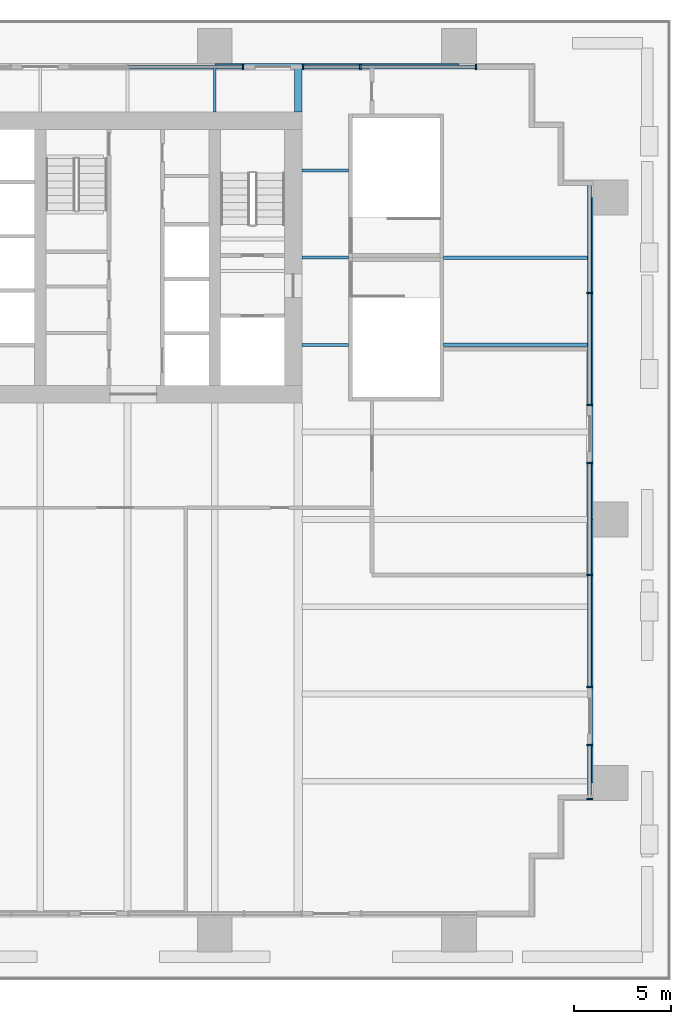
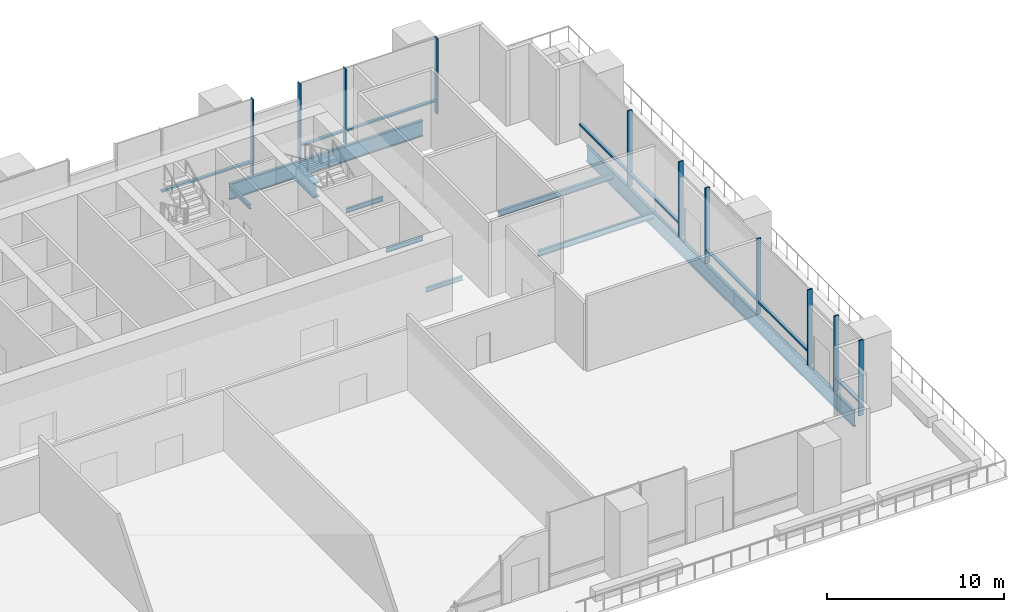
# One storey, part 5 of 16: 19 members, 10 beams, 5 elements without a shape of their own.
"""IFC4 building model written with IfcOpenShell, lengths in metres."""

from ifc_helpers import new_model, si_unit, direction, frame, origin, origin_2d, place, context, subcontext, project, spatial, rectangle, i_section, extrude, material, layer, layer_set, material_profile, profile_set, type_object, element, aggregate, save


model = new_model("IFC4")

# Units and contexts
model_context = context("Model", 3, precision=1e-05, world=origin(), true_north=direction((0.0, 1.0)))
body_context = subcontext(model_context, "Body", "Model", "MODEL_VIEW")
ifc_project = project(units=[si_unit("LENGTHUNIT", "METRE"), si_unit("AREAUNIT", "SQUARE_METRE"), si_unit("VOLUMEUNIT", "CUBIC_METRE"), si_unit("PLANEANGLEUNIT", "RADIAN"), si_unit("MASSUNIT", "GRAM", prefix="KILO")], contexts=[model_context])

# Site, building, storey
site_placement = place(None, origin())
site = spatial("IfcSite", under=ifc_project, at=site_placement, CompositionType="ELEMENT")
building_placement = place(site_placement, origin())
building = spatial("IfcBuilding", under=site, at=building_placement, Name="Rattan Terrace Tower", CompositionType="ELEMENT")
storey_placement = place(building_placement, frame((0.0, 0.0, 27.0)))
storey = spatial("IfcBuildingStorey", under=building, at=storey_placement, Name="L05", CompositionType="ELEMENT", Elevation=27.0)

# Beams
ifc_material_1 = material(Name="Steel S460", Category="steel")
ifc_material_profile_1 = material_profile(ifc_material_1, i_section(OverallWidth=0.39990234375, OverallDepth=1.0, WebThickness=0.01806640625, FlangeThickness=0.044921875, at=origin_2d()), Name="PG 1000x400-18-45")
ifc_profile_set_1 = profile_set([ifc_material_profile_1], Name="Steel S460")
beam_type_1 = type_object("IfcBeamType", Name="Frame core girder PG 1000x400-18-45", PredefinedType="BEAM", material=ifc_profile_set_1)
beam_1_placement = place(storey_placement, frame((17.800048828125, 7.5, -0.699951171875), z_axis=(0.0, 1.0, 0.0), x_axis=(-1.0, 0.0, 0.0)))
element("IfcBeam", 1, at=beam_1_placement, inside=storey, type_object=beam_type_1, Name="gdr-L05-016", PredefinedType="BEAM", context=body_context, shape_type="SweptSolid", body=[
    extrude(i_section(OverallWidth=0.39990234375, OverallDepth=1.0, WebThickness=0.01806640625, FlangeThickness=0.044921875, at=origin_2d()), origin(), (0.0, 0.0, 1.0), 2.320068359375),
])
ifc_material_2 = material(Name="Steel S460", Category="steel")
ifc_material_profile_2 = material_profile(ifc_material_2, i_section(OverallWidth=0.179931640625, OverallDepth=1.10009765625, WebThickness=0.01611328125, FlangeThickness=0.050048828125, at=origin_2d()), Name="PG 1100x180-16-50")
ifc_profile_set_2 = profile_set([ifc_material_profile_2], Name="Steel S460")
beam_type_2 = type_object("IfcBeamType", Name="Frame edge girder PG 1100x180-16-50", PredefinedType="SPANDREL", material=ifc_profile_set_2)
beam_2_placement = place(storey_placement, frame((32.909912109375, -27.10009765625, -0.75), z_axis=(0.0, 1.0, 0.0), x_axis=(-1.0, 0.0, 0.0)))
element("IfcBeam", 2, at=beam_2_placement, inside=storey, type_object=beam_type_2, Name="gdr-L05-005", PredefinedType="SPANDREL", context=body_context, shape_type="SweptSolid", body=[
    extrude(i_section(OverallWidth=0.179931640625, OverallDepth=1.10009765625, WebThickness=0.01611328125, FlangeThickness=0.050048828125, at=origin_2d()), origin(), (0.0, 0.0, 1.0), 13.60009765625),
])
beam_3_placement = place(storey_placement, frame((32.909912109375, -13.5, -0.75), z_axis=(0.0, 1.0, 0.0), x_axis=(-1.0, 0.0, 0.0)))
element("IfcBeam", 3, at=beam_3_placement, inside=storey, type_object=beam_type_2, Name="gdr-L05-007", PredefinedType="SPANDREL", context=body_context, shape_type="SweptSolid", body=[
    extrude(i_section(OverallWidth=0.179931640625, OverallDepth=1.10009765625, WebThickness=0.01611328125, FlangeThickness=0.050048828125, at=origin_2d()), origin(), (0.0, 0.0, 1.0), 16.60009765625),
])
beam_4_placement = place(storey_placement, frame((26.10009765625, 9.909912109375, -0.75), z_axis=(-1.0, 0.0, 0.0), x_axis=(0.0, -1.0, 0.0)))
element("IfcBeam", 4, at=beam_4_placement, inside=storey, type_object=beam_type_2, Name="gdr-L05-012", PredefinedType="SPANDREL", context=body_context, shape_type="SweptSolid", body=[
    extrude(i_section(OverallWidth=0.179931640625, OverallDepth=1.10009765625, WebThickness=0.01611328125, FlangeThickness=0.050048828125, at=origin_2d()), origin(), (0.0, 0.0, 1.0), 12.60009765625),
])
ifc_material_3 = material(Name="Steel S355", Category="steel")
ifc_material_profile_3 = material_profile(ifc_material_3, i_section(OverallWidth=0.14990234375, OverallDepth=0.300048828125, WebThickness=0.007080078125, FlangeThickness=0.0107421875, FilletRadius=0.014892578125, at=origin_2d()), Name="IPE 300")
ifc_profile_set_3 = profile_set([ifc_material_profile_3], Name="Steel S355")
beam_type_3 = type_object("IfcBeamType", Name="Frame floor beam IPE 300", PredefinedType="JOIST", material=ifc_profile_set_3)
for number, where, z_axis, x_axis, name in (
    (5, (18.0, -4.5, -0.35009765625), (1.0, 0.0, 0.0), (0.0, 1.0, 0.0), "bm-L05-022"),
    (6, (18.0, 0.0, -0.35009765625), (1.0, 0.0, 0.0), (0.0, 1.0, 0.0), "bm-L05-026"),
    (7, (18.0, 4.5, -0.35009765625), (1.0, 0.0, 0.0), (0.0, 1.0, 0.0), "bm-L05-029"),
):
    element("IfcBeam", number, at=place(storey_placement, frame(where, z_axis=z_axis, x_axis=x_axis)), inside=storey, type_object=beam_type_3, Name=name, PredefinedType="JOIST", context=body_context, shape_type="SweptSolid", body=[
        extrude(i_section(OverallWidth=0.14990234375, OverallDepth=0.300048828125, WebThickness=0.007080078125, FlangeThickness=0.0107421875, FilletRadius=0.014892578125, at=origin_2d()), origin(), (0.0, 0.0, 1.0), 2.39990234375),
    ])
beam_5_placement = place(storey_placement, frame((13.5, 7.5, -0.35009765625), z_axis=(0.0, 1.0, 0.0), x_axis=(-1.0, 0.0, 0.0)))
element("IfcBeam", 8, at=beam_5_placement, inside=storey, type_object=beam_type_3, Name="bm-L05-036", PredefinedType="JOIST", context=body_context, shape_type="SweptSolid", body=[
    extrude(i_section(OverallWidth=0.14990234375, OverallDepth=0.300048828125, WebThickness=0.007080078125, FlangeThickness=0.0107421875, FilletRadius=0.014892578125, at=origin_2d()), origin(), (0.0, 0.0, 1.0), 2.320068359375),
])
ifc_material_4 = material(Name="Steel S355", Category="steel")
ifc_material_profile_4 = material_profile(ifc_material_4, i_section(OverallWidth=0.179931640625, OverallDepth=0.39990234375, WebThickness=0.008544921875, FlangeThickness=0.013427734375, FilletRadius=0.02099609375, at=origin_2d()), Name="IPE 400")
ifc_profile_set_4 = profile_set([ifc_material_profile_4], Name="Steel S355")
beam_type_4 = type_object("IfcBeamType", Name="Frame floor beam IPE 400", PredefinedType="JOIST", material=ifc_profile_set_4)
for number, where, z_axis, x_axis, name in (
    (9, (25.300048828125, -4.5, -0.39990234375), (1.0, 0.0, 0.0), (0.0, 1.0, 0.0), "bm-L05-023"),
    (10, (25.300048828125, 0.0, -0.39990234375), (1.0, 0.0, 0.0), (0.0, 1.0, 0.0), "bm-L05-027"),
):
    element("IfcBeam", number, at=place(storey_placement, frame(where, z_axis=z_axis, x_axis=x_axis)), inside=storey, type_object=beam_type_4, Name=name, PredefinedType="JOIST", context=body_context, shape_type="SweptSolid", body=[
        extrude(i_section(OverallWidth=0.179931640625, OverallDepth=0.39990234375, WebThickness=0.008544921875, FlangeThickness=0.013427734375, FilletRadius=0.02099609375, at=origin_2d()), origin(), (0.0, 0.0, 1.0), 7.52001953125),
    ])

# Curtain wall, members
ifc_material_5 = material(Name="Steel fins, aluminium and glass", Category="steel")
ifc_layer = layer(ifc_material_5, 0.300048828125)
ifc_layer_set = layer_set([ifc_layer], Name="Sky Lobby Stick Curtain Wall")
curtain_wall_type = type_object("IfcCurtainWallType", Name="Sky Lobby Stick Curtain Wall", PredefinedType="NOTDEFINED", material=ifc_layer_set)
curtain_wall_1_placement = place(storey_placement, origin())
curtain_wall_1 = element("IfcCurtainWall", 11, at=curtain_wall_1_placement, inside=storey, type_object=curtain_wall_type, Name="Sky lobby curtain wall L05-1", PredefinedType="NOTDEFINED")
ifc_material_6 = material(Name="Steel S355", Category="steel")
ifc_material_profile_5 = material_profile(ifc_material_6, rectangle(XDim=0.080078125, YDim=0.300048828125, at=origin_2d()), Name="Steel S355 80x300")
ifc_profile_set_5 = profile_set([ifc_material_profile_5], Name="Steel S355")
member_type_1 = type_object("IfcMemberType", Name="Sky Lobby CW Fin 80x300", PredefinedType="MULLION", material=ifc_profile_set_5)
member_1_placement = place(storey_placement, frame((32.830078125, -27.9150390625, 0.0), z_axis=(0.0, 0.0, 1.0), x_axis=(0.0, 1.0, 0.0)))
member_1 = element("IfcMember", 12, at=member_1_placement, type_object=member_type_1, Name="Mullion cwl-L05-001.1", PredefinedType="MULLION", context=body_context, shape_type="SweptSolid", body=[
    extrude(rectangle(XDim=0.080078125, YDim=0.300048828125, at=origin_2d()), origin(), (0.0, 0.0, 1.0), 5.199951171875),
])
member_2_placement = place(storey_placement, frame((32.830078125, -25.131103515625, 0.0), z_axis=(0.0, 0.0, 1.0), x_axis=(0.0, 1.0, 0.0)))
member_2 = element("IfcMember", 13, at=member_2_placement, type_object=member_type_1, Name="Mullion cwl-L05-001.2", PredefinedType="MULLION", context=body_context, shape_type="SweptSolid", body=[
    extrude(rectangle(XDim=0.080078125, YDim=0.300048828125, at=origin_2d()), origin(), (0.0, 0.0, 1.0), 5.199951171875),
])

curtain_wall_2_placement = place(storey_placement, origin())
curtain_wall_2 = element("IfcCurtainWall", 14, at=curtain_wall_2_placement, inside=storey, type_object=curtain_wall_type, Name="Sky lobby curtain wall L05-2", PredefinedType="NOTDEFINED")
member_3_placement = place(storey_placement, frame((32.830078125, -22.14208984375, 0.0), z_axis=(0.0, 0.0, 1.0), x_axis=(0.0, 1.0, 0.0)))
member_3 = element("IfcMember", 15, at=member_3_placement, type_object=member_type_1, Name="Mullion cwl-L05-002.1", PredefinedType="MULLION", context=body_context, shape_type="SweptSolid", body=[
    extrude(rectangle(XDim=0.080078125, YDim=0.300048828125, at=origin_2d()), origin(), (0.0, 0.0, 1.0), 5.199951171875),
])
member_4_placement = place(storey_placement, frame((32.830078125, -16.364013671875, 0.0), z_axis=(0.0, 0.0, 1.0), x_axis=(0.0, 1.0, 0.0)))
member_4 = element("IfcMember", 16, at=member_4_placement, type_object=member_type_1, Name="Mullion cwl-L05-002.2", PredefinedType="MULLION", context=body_context, shape_type="SweptSolid", body=[
    extrude(rectangle(XDim=0.080078125, YDim=0.300048828125, at=origin_2d()), origin(), (0.0, 0.0, 1.0), 5.199951171875),
])
member_5_placement = place(storey_placement, frame((32.830078125, -10.5859375, 0.0), z_axis=(0.0, 0.0, 1.0), x_axis=(0.0, 1.0, 0.0)))
member_5 = element("IfcMember", 17, at=member_5_placement, type_object=member_type_1, Name="Mullion cwl-L05-002.3", PredefinedType="MULLION", context=body_context, shape_type="SweptSolid", body=[
    extrude(rectangle(XDim=0.080078125, YDim=0.300048828125, at=origin_2d()), origin(), (0.0, 0.0, 1.0), 5.199951171875),
])

curtain_wall_3_placement = place(storey_placement, origin())
curtain_wall_3 = element("IfcCurtainWall", 18, at=curtain_wall_3_placement, inside=storey, type_object=curtain_wall_type, Name="Sky lobby curtain wall L05-3", PredefinedType="NOTDEFINED")
member_6_placement = place(storey_placement, frame((32.830078125, -7.596923828125, 0.0), z_axis=(0.0, 0.0, 1.0), x_axis=(0.0, 1.0, 0.0)))
member_6 = element("IfcMember", 19, at=member_6_placement, type_object=member_type_1, Name="Mullion cwl-L05-003.1", PredefinedType="MULLION", context=body_context, shape_type="SweptSolid", body=[
    extrude(rectangle(XDim=0.080078125, YDim=0.300048828125, at=origin_2d()), origin(), (0.0, 0.0, 1.0), 5.199951171875),
])
member_7_placement = place(storey_placement, frame((32.830078125, -1.819091796875, 0.0), z_axis=(0.0, 0.0, 1.0), x_axis=(0.0, 1.0, 0.0)))
member_7 = element("IfcMember", 20, at=member_7_placement, type_object=member_type_1, Name="Mullion cwl-L05-003.2", PredefinedType="MULLION", context=body_context, shape_type="SweptSolid", body=[
    extrude(rectangle(XDim=0.080078125, YDim=0.300048828125, at=origin_2d()), origin(), (0.0, 0.0, 1.0), 5.199951171875),
])

curtain_wall_4_placement = place(storey_placement, origin())
curtain_wall_4 = element("IfcCurtainWall", 21, at=curtain_wall_4_placement, inside=storey, type_object=curtain_wall_type, Name="Sky lobby curtain wall L05-4", PredefinedType="NOTDEFINED")
member_8_placement = place(storey_placement, frame((26.9599609375, 9.830078125, 0.0), z_axis=(0.0, 0.0, 1.0), x_axis=(-1.0, 0.0, 0.0)))
member_8 = element("IfcMember", 22, at=member_8_placement, type_object=member_type_1, Name="Mullion cwl-L05-004.1", PredefinedType="MULLION", context=body_context, shape_type="SweptSolid", body=[
    extrude(rectangle(XDim=0.080078125, YDim=0.300048828125, at=origin_2d()), origin(), (0.0, 0.0, 1.0), 5.199951171875),
])
member_9_placement = place(storey_placement, frame((21.0, 9.830078125, 0.0), z_axis=(0.0, 0.0, 1.0), x_axis=(-1.0, 0.0, 0.0)))
member_9 = element("IfcMember", 23, at=member_9_placement, type_object=member_type_1, Name="Mullion cwl-L05-004.2", PredefinedType="MULLION", context=body_context, shape_type="SweptSolid", body=[
    extrude(rectangle(XDim=0.080078125, YDim=0.300048828125, at=origin_2d()), origin(), (0.0, 0.0, 1.0), 5.199951171875),
])
member_10_placement = place(storey_placement, frame((18.0400390625, 9.830078125, 0.0), z_axis=(0.0, 0.0, 1.0), x_axis=(-1.0, 0.0, 0.0)))
member_10 = element("IfcMember", 24, at=member_10_placement, type_object=member_type_1, Name="Mullion cwl-L05-004.3", PredefinedType="MULLION", context=body_context, shape_type="SweptSolid", body=[
    extrude(rectangle(XDim=0.080078125, YDim=0.300048828125, at=origin_2d()), origin(), (0.0, 0.0, 1.0), 5.199951171875),
])

# Curtain wall, member
curtain_wall_5_placement = place(storey_placement, origin())
curtain_wall_5 = element("IfcCurtainWall", 25, at=curtain_wall_5_placement, inside=storey, type_object=curtain_wall_type, Name="Sky lobby curtain wall L05-5", PredefinedType="NOTDEFINED")
member_11_placement = place(storey_placement, frame((14.9599609375, 9.830078125, 0.0), z_axis=(0.0, 0.0, 1.0), x_axis=(-1.0, 0.0, 0.0)))
member_11 = element("IfcMember", 26, at=member_11_placement, type_object=member_type_1, Name="Mullion cwl-L05-005.1", PredefinedType="MULLION", context=body_context, shape_type="SweptSolid", body=[
    extrude(rectangle(XDim=0.080078125, YDim=0.300048828125, at=origin_2d()), origin(), (0.0, 0.0, 1.0), 5.199951171875),
])

# Member
ifc_material_7 = material(Name="Aluminium", Category="aluminium")
ifc_material_profile_6 = material_profile(ifc_material_7, rectangle(XDim=0.199951171875, YDim=0.1201171875, at=origin_2d()), Name="Aluminium 200x120")
ifc_profile_set_6 = profile_set([ifc_material_profile_6], Name="Aluminium")
member_type_2 = type_object("IfcMemberType", Name="Sky Lobby CW Transom 200x120", PredefinedType="USERDEFINED", material=ifc_profile_set_6)
member_12_placement = place(storey_placement, frame((32.830078125, -27.875, 0.89990234375), z_axis=(0.0, 1.0, 0.0), x_axis=(-1.0, 0.0, 0.0)))
member_12 = element("IfcMember", 27, at=member_12_placement, type_object=member_type_2, Name="Transom cwl-L05-001.1", ObjectType="TRANSOM", PredefinedType="USERDEFINED", context=body_context, shape_type="SweptSolid", body=[
    extrude(rectangle(XDim=0.199951171875, YDim=0.1201171875, at=origin_2d()), origin(), (0.0, 0.0, 1.0), 2.7041015625),
])

aggregate(curtain_wall_1, [member_1, member_2, member_12])

member_13_placement = place(storey_placement, frame((32.830078125, -22.10205078125, 0.89990234375), z_axis=(0.0, 1.0, 0.0), x_axis=(-1.0, 0.0, 0.0)))
member_13 = element("IfcMember", 28, at=member_13_placement, type_object=member_type_2, Name="Transom cwl-L05-002.1", ObjectType="TRANSOM", PredefinedType="USERDEFINED", context=body_context, shape_type="SweptSolid", body=[
    extrude(rectangle(XDim=0.199951171875, YDim=0.1201171875, at=origin_2d()), origin(), (0.0, 0.0, 1.0), 5.697998046875),
])

member_14_placement = place(storey_placement, frame((32.830078125, -16.323974609375, 0.89990234375), z_axis=(0.0, 1.0, 0.0), x_axis=(-1.0, 0.0, 0.0)))
member_14 = element("IfcMember", 29, at=member_14_placement, type_object=member_type_2, Name="Transom cwl-L05-002.2", ObjectType="TRANSOM", PredefinedType="USERDEFINED", context=body_context, shape_type="SweptSolid", body=[
    extrude(rectangle(XDim=0.199951171875, YDim=0.1201171875, at=origin_2d()), origin(), (0.0, 0.0, 1.0), 5.697998046875),
])

aggregate(curtain_wall_2, [member_3, member_4, member_5, member_13, member_14])

member_15_placement = place(storey_placement, frame((32.830078125, -7.556884765625, 0.89990234375), z_axis=(0.0, 1.0, 0.0), x_axis=(-1.0, 0.0, 0.0)))
member_15 = element("IfcMember", 30, at=member_15_placement, type_object=member_type_2, Name="Transom cwl-L05-003.1", ObjectType="TRANSOM", PredefinedType="USERDEFINED", context=body_context, shape_type="SweptSolid", body=[
    extrude(rectangle(XDim=0.199951171875, YDim=0.1201171875, at=origin_2d()), origin(), (0.0, 0.0, 1.0), 5.697998046875),
])

member_16_placement = place(storey_placement, frame((32.830078125, -1.779052734375, 0.89990234375), z_axis=(0.0, 1.0, 0.0), x_axis=(-1.0, 0.0, 0.0)))
member_16 = element("IfcMember", 31, at=member_16_placement, type_object=member_type_2, Name="Transom cwl-L05-003.2", ObjectType="TRANSOM", PredefinedType="USERDEFINED", context=body_context, shape_type="SweptSolid", body=[
    extrude(rectangle(XDim=0.199951171875, YDim=0.1201171875, at=origin_2d()), origin(), (0.0, 0.0, 1.0), 5.484130859375),
])

aggregate(curtain_wall_3, [member_6, member_7, member_15, member_16])

member_17_placement = place(storey_placement, frame((26.919921875, 9.830078125, 0.89990234375), z_axis=(-1.0, 0.0, 0.0), x_axis=(0.0, -1.0, 0.0)))
member_17 = element("IfcMember", 32, at=member_17_placement, type_object=member_type_2, Name="Transom cwl-L05-004.1", ObjectType="TRANSOM", PredefinedType="USERDEFINED", context=body_context, shape_type="SweptSolid", body=[
    extrude(rectangle(XDim=0.199951171875, YDim=0.1201171875, at=origin_2d()), origin(), (0.0, 0.0, 1.0), 5.8798828125),
])

member_18_placement = place(storey_placement, frame((20.9599609375, 9.830078125, 0.89990234375), z_axis=(-1.0, 0.0, 0.0), x_axis=(0.0, -1.0, 0.0)))
member_18 = element("IfcMember", 33, at=member_18_placement, type_object=member_type_2, Name="Transom cwl-L05-004.2", ObjectType="TRANSOM", PredefinedType="USERDEFINED", context=body_context, shape_type="SweptSolid", body=[
    extrude(rectangle(XDim=0.199951171875, YDim=0.1201171875, at=origin_2d()), origin(), (0.0, 0.0, 1.0), 2.8798828125),
])

aggregate(curtain_wall_4, [member_8, member_9, member_10, member_17, member_18])

member_19_placement = place(storey_placement, frame((14.919921875, 9.830078125, 0.89990234375), z_axis=(-1.0, 0.0, 0.0), x_axis=(0.0, -1.0, 0.0)))
member_19 = element("IfcMember", 34, at=member_19_placement, type_object=member_type_2, Name="Transom cwl-L05-005.1", ObjectType="TRANSOM", PredefinedType="USERDEFINED", context=body_context, shape_type="SweptSolid", body=[
    extrude(rectangle(XDim=0.199951171875, YDim=0.1201171875, at=origin_2d()), origin(), (0.0, 0.0, 1.0), 5.8798828125),
])

aggregate(curtain_wall_5, [member_11, member_19])

save(model, "model.ifc")
